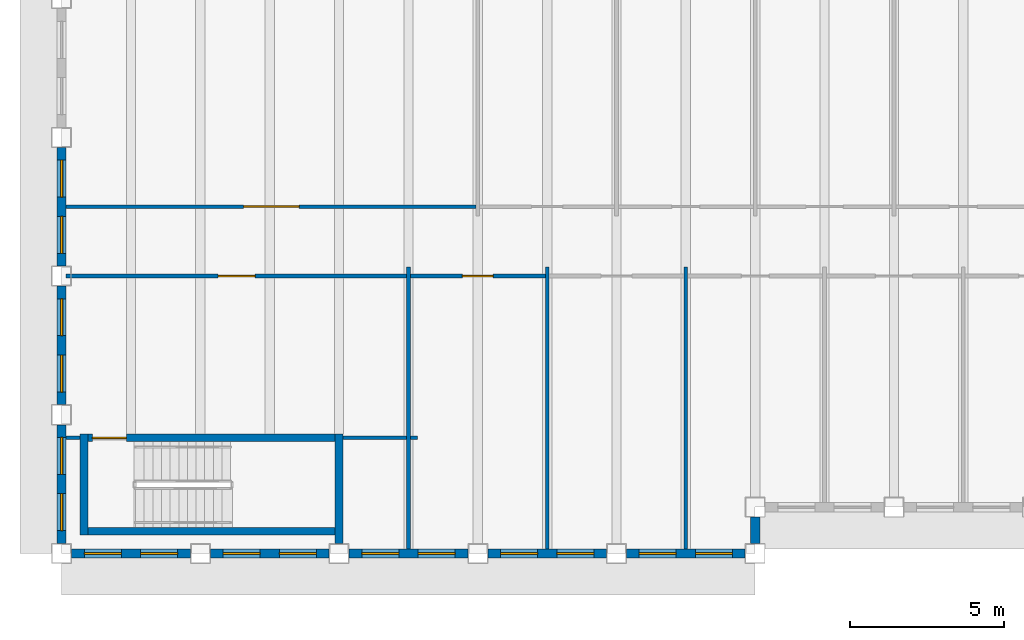
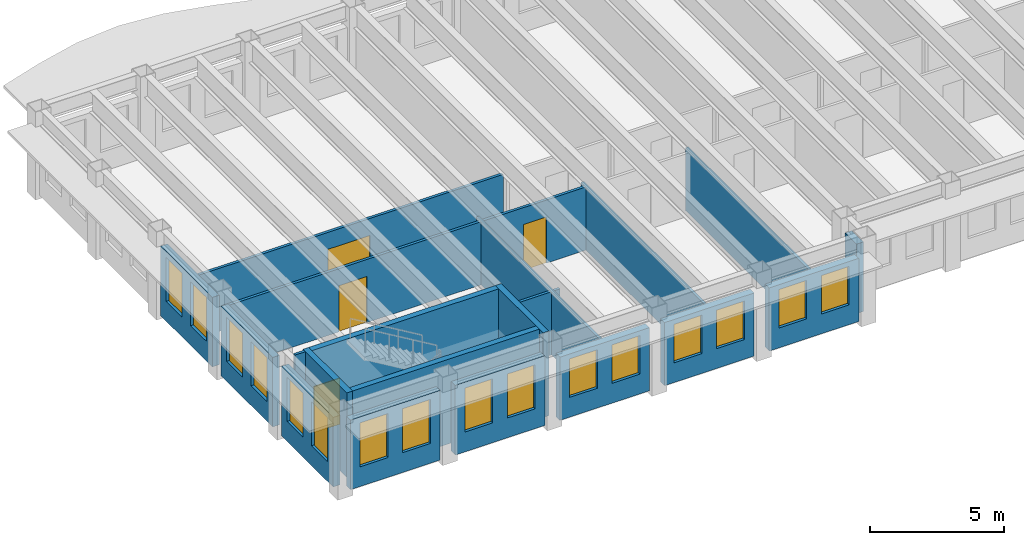
# One storey, part 2 of 12: 22 walls, 16 windows, 4 doors, 20 openings.
"""IFC4 building model written with IfcOpenShell, lengths in metres."""

import ifcopenshell
import ifcopenshell.guid

model = None  # the IFC model being written
_history = None  # IfcOwnerHistory: only IFC2X3 demands one
_inside = {}  # id of a spatial element -> (the spatial element, [elements in it])
_under = {}  # id of a project, library or spatial element -> (it, [spatial elements below it])
_declared = {}  # id of a project -> (the project, [libraries it declares])
_typed = {}  # id of a type object -> (the type object, [elements of that type])
_made_of = {}  # id of a material, layer set ... -> (it, [elements and type objects made of it])


def new_model(schema):
    """Start an empty IFC model of exactly this schema.

    Asked for "IFC4X3", IfcOpenShell would pick the latest addendum, in which some entities
    have other attributes; the version numbers below select the first issue.
    IFC2X3 requires an IfcOwnerHistory on every rooted entity: one is made here for all.
    """
    global model, _history
    if schema == "IFC4X3":
        model = ifcopenshell.file(schema_version=(4, 3, 0, 0))
    else:
        model = ifcopenshell.file(schema=schema)
    _inside.clear()
    _under.clear()
    _declared.clear()
    _typed.clear()
    _made_of.clear()
    _history = None
    if model.schema == "IFC2X3":
        org = make("IfcOrganization", Name="unknown")
        user = make(
            "IfcPersonAndOrganization",
            ThePerson=make("IfcPerson", FamilyName="unknown"),
            TheOrganization=org,
        )
        app = make(
            "IfcApplication",
            ApplicationDeveloper=org,
            Version="unknown",
            ApplicationFullName="unknown",
            ApplicationIdentifier="unknown",
        )
        _history = make(
            "IfcOwnerHistory",
            OwningUser=user,
            OwningApplication=app,
            ChangeAction="ADDED",
            CreationDate=0,
        )
    return model


def make(cls, **values):
    """One entity of the class cls with the attributes given. An attribute that is None is left unset."""
    return model.create_entity(
        cls, **{name: value for name, value in values.items() if value is not None}
    )


def rooted(cls, **values):
    """An entity with a GlobalId (a new one), such as an element, a storey or a relation."""
    return make(cls, GlobalId=ifcopenshell.guid.new(), OwnerHistory=_history, **values)


def si_unit(unit_type, name, prefix=None):
    """IfcSIUnit, for example si_unit("LENGTHUNIT", "METRE", prefix="MILLI")."""
    return make("IfcSIUnit", UnitType=unit_type, Prefix=prefix, Name=name)


def assignment(units):
    """IfcUnitAssignment: the units of a project."""
    return None if units is None else make("IfcUnitAssignment", Units=units)


def point(xyz):
    """IfcCartesianPoint."""
    return None if xyz is None else make("IfcCartesianPoint", Coordinates=xyz)


def direction(xyz):
    """IfcDirection."""
    return None if xyz is None else make("IfcDirection", DirectionRatios=xyz)


def frame(location, z_axis=None, x_axis=None):
    """IfcAxis2Placement3D, a coordinate frame: its origin and axes. An axis left out is left unset."""
    return make(
        "IfcAxis2Placement3D",
        Location=point(location),
        Axis=direction(z_axis),
        RefDirection=direction(x_axis),
    )


def frame_2d(location, x_axis=None):
    """IfcAxis2Placement2D, a coordinate frame in the plane: its origin and x axis."""
    return make(
        "IfcAxis2Placement2D", Location=point(location), RefDirection=direction(x_axis)
    )


def origin():
    """The frame at (0, 0, 0) with its axes left unset."""
    return frame((0.0, 0.0, 0.0))


def place(relative_to, where):
    """IfcLocalPlacement: puts the frame where relative to a parent placement (None: the world)."""
    return make(
        "IfcLocalPlacement", PlacementRelTo=relative_to, RelativePlacement=where
    )


def context(
    kind, dimensions, precision=None, world=None, true_north=None, identifier=None
):
    """IfcGeometricRepresentationContext, for example the 3D "Model" context."""
    return make(
        "IfcGeometricRepresentationContext",
        ContextIdentifier=identifier,
        ContextType=kind,
        CoordinateSpaceDimension=dimensions,
        Precision=precision,
        WorldCoordinateSystem=world,
        TrueNorth=true_north,
    )


def subcontext(parent, identifier, kind, view, scale=None):
    """IfcGeometricRepresentationSubContext, for example "Body" below "Model"."""
    return make(
        "IfcGeometricRepresentationSubContext",
        ContextIdentifier=identifier,
        ContextType=kind,
        ParentContext=parent,
        TargetScale=scale,
        TargetView=view,
    )


def project(units=None, contexts=None):
    """IfcProject with its units and contexts."""
    return rooted(
        "IfcProject",
        Name="project",
        RepresentationContexts=contexts,
        UnitsInContext=assignment(units),
    )


def spatial(cls, under=None, at=None, **own):
    """A site, building, storey or space (cls), placed at a placement, below another one or the project."""
    s = rooted(cls, ObjectPlacement=at, **own)
    if under is not None:
        _under.setdefault(under.id(), (under, []))[1].append(s)
    return s


def profile(cls, at=None, kind="AREA", **sizes):
    """A parametric profile (cls). Its sizes go by their IFC names, for example OverallWidth=200.0."""
    return make(cls, ProfileType=kind, Position=at, **sizes)


def rectangle(**sizes):
    """IfcRectangleProfileDef."""
    return profile("IfcRectangleProfileDef", **sizes)


def extrude(swept, where, along, depth):
    """IfcExtrudedAreaSolid: the profile swept, set in the frame where, extruded along a direction by depth."""
    return make(
        "IfcExtrudedAreaSolid",
        SweptArea=swept,
        Position=where,
        ExtrudedDirection=direction(along),
        Depth=depth,
    )


def shape(context_of_items, identifier, shape_type, items):
    """IfcShapeRepresentation: the items that make up one representation, for example the "Body"."""
    return make(
        "IfcShapeRepresentation",
        ContextOfItems=context_of_items,
        RepresentationIdentifier=identifier,
        RepresentationType=shape_type,
        Items=items,
    )


def material(Name=None, Category=None):
    """IfcMaterial."""
    return make("IfcMaterial", Name=Name, Category=Category)


def layer(
    of_material, thickness, ventilated=None, Name=None, Category=None, Priority=None
):
    """IfcMaterialLayer: one layer of a wall or slab, of a material (None: an air gap)."""
    return make(
        "IfcMaterialLayer",
        Material=of_material,
        LayerThickness=thickness,
        IsVentilated=ventilated,
        Name=Name,
        Category=Category,
        Priority=Priority,
    )


def layer_set(layers, Name=None):
    """IfcMaterialLayerSet."""
    return make("IfcMaterialLayerSet", MaterialLayers=layers, LayerSetName=Name)


def made_of(thing, what):
    """Note that an element or type object is made of a material, layer set ...; save() writes the relation."""
    if what is not None:
        _made_of.setdefault(what.id(), (what, []))[1].append(thing)
    return thing


def type_object(cls, material=None, **own):
    """A type object (cls), such as IfcWallType, which elements share."""
    return made_of(rooted(cls, **own), material)


def element(
    cls,
    number,
    at=None,
    inside=None,
    cuts=None,
    type_object=None,
    material=None,
    context=None,
    identifier="Body",
    shape_type=None,
    held_by="IfcProductDefinitionShape",
    body=None,
    shapes=None,
    **own,
):
    """One element of the class cls, such as IfcWall. Its Tag is "e" and its number.

    at: its placement. inside: the storey or other place that contains it. cuts: it is an
    opening in that element (IfcRelVoidsElement). A single representation is given by context,
    identifier, shape_type and body (its items); several are given by shapes. held_by: the class
    of the entity that holds the representations. save() writes the other relations.
    """
    e = rooted(cls, Tag="e%d" % number, ObjectPlacement=at, **own)
    if body is not None:
        shapes = [shape(context, identifier, shape_type, body)]
    if shapes is not None:
        e.Representation = make(held_by, Representations=shapes)
    if inside is not None:
        _inside.setdefault(inside.id(), (inside, []))[1].append(e)
    if cuts is not None:
        rooted(
            "IfcRelVoidsElement", RelatingBuildingElement=cuts, RelatedOpeningElement=e
        )
    if type_object is not None:
        _typed.setdefault(type_object.id(), (type_object, []))[1].append(e)
    return made_of(e, material)


def fill(opening, filler):
    """IfcRelFillsElement: the door or window that sits in an opening."""
    return rooted(
        "IfcRelFillsElement",
        RelatingOpeningElement=opening,
        RelatedBuildingElement=filler,
    )


def aggregate(whole, parts):
    """IfcRelAggregates: a whole, such as a stair, and the parts it consists of."""
    return rooted("IfcRelAggregates", RelatingObject=whole, RelatedObjects=parts)


def save(model, path):
    """Write the relations noted so far, then the file.

    IfcRelAggregates (storeys below a building ...), IfcRelContainedInSpatialStructure (elements
    in a storey), IfcRelDefinesByType, IfcRelAssociatesMaterial and IfcRelDeclares: one each for
    every whole, place, type object, material and project.
    """
    for whole, parts in _under.values():
        aggregate(whole, parts)
    for where, things in _inside.values():
        rooted(
            "IfcRelContainedInSpatialStructure",
            RelatedElements=things,
            RelatingStructure=where,
        )
    for kind, things in _typed.values():
        rooted("IfcRelDefinesByType", RelatedObjects=things, RelatingType=kind)
    for what, things in _made_of.values():
        rooted("IfcRelAssociatesMaterial", RelatedObjects=things, RelatingMaterial=what)
    for by, libraries in _declared.values():
        rooted("IfcRelDeclares", RelatingContext=by, RelatedDefinitions=libraries)
    model.write(path)


model = new_model("IFC4")

# Units and contexts
model_context = context("Model", 3, precision=1e-05, world=origin(), true_north=direction((0.0, 1.0)))
body_context = subcontext(model_context, "Body", "Model", "MODEL_VIEW")
ifc_project = project(units=[si_unit("LENGTHUNIT", "METRE"), si_unit("AREAUNIT", "SQUARE_METRE"), si_unit("VOLUMEUNIT", "CUBIC_METRE"), si_unit("PLANEANGLEUNIT", "RADIAN"), si_unit("MASSUNIT", "GRAM", prefix="KILO")], contexts=[model_context])

# Site, building, storey
site_placement = place(None, origin())
site = spatial("IfcSite", under=ifc_project, at=site_placement, CompositionType="ELEMENT")
building_placement = place(site_placement, origin())
building = spatial("IfcBuilding", under=site, at=building_placement, Name="Sennacour Bend Tower", CompositionType="ELEMENT")
storey_placement = place(building_placement, frame((0.0, 0.0, 289.0)))
storey = spatial("IfcBuildingStorey", under=building, at=storey_placement, Name="L67", CompositionType="ELEMENT", Elevation=289.0)

# Walls
ifc_material_1 = material(Name="Plasterboard partition on steel studs", Category="steel")
ifc_layer_1 = layer(ifc_material_1, 0.1201171875, Name="Plasterboard partition on steel studs", Category="steel")
ifc_layer_set_1 = layer_set([ifc_layer_1], Name="Plasterboard partition on steel studs")
wall_type_1 = type_object("IfcWallType", Name="Partition 120", PredefinedType="PARTITIONING", material=ifc_layer_set_1)
for number, where, z_axis, x_axis, name in (
    (1, (11.25, 0.14990234375, 0.0), (0.0, 0.0, 1.0), (0.0, 1.0, 0.0), "P-L67-W004a"),
    (2, (15.75, 0.14990234375, 0.0), (0.0, 0.0, 1.0), (0.0, 1.0, 0.0), "P-L67-W006a"),
    (3, (20.25, 0.14990234375, 0.0), (0.0, 0.0, 1.0), (0.0, 1.0, 0.0), "P-L67-W008a"),
):
    element("IfcWall", number, at=place(storey_placement, frame(where, z_axis=z_axis, x_axis=x_axis)), inside=storey, type_object=wall_type_1, Name=name, PredefinedType="PARTITIONING", context=body_context, shape_type="SweptSolid", body=[
        extrude(rectangle(XDim=9.150146484375, YDim=0.1201171875, at=frame_2d((4.5751953125, 0.0))), origin(), (0.0, 0.0, 1.0), 2.8701171875),
    ])
wall_1_placement = place(storey_placement, frame((0.14990234375, 3.75, 0.0), z_axis=(0.0, 0.0, 1.0), x_axis=(1.0, 0.0, 0.0)))
element("IfcWall", 4, at=wall_1_placement, inside=storey, type_object=wall_type_1, Name="P-L67-W033a", PredefinedType="PARTITIONING", context=body_context, shape_type="SweptSolid", body=[
    extrude(rectangle(XDim=0.4501953125, YDim=0.1201171875, at=frame_2d((0.22509765625, 0.0))), origin(), (0.0, 0.0, 1.0), 3.85009765625),
])
wall_2_placement = place(storey_placement, frame((9.125, 3.75, 0.0), z_axis=(0.0, 0.0, 1.0), x_axis=(1.0, 0.0, 0.0)))
element("IfcWall", 5, at=wall_2_placement, inside=storey, type_object=wall_type_1, Name="P-L67-W035aa", PredefinedType="PARTITIONING", context=body_context, shape_type="SweptSolid", body=[
    extrude(rectangle(XDim=2.06494140625, YDim=0.1201171875, at=frame_2d((1.032470703125, 0.0))), origin(), (0.0, 0.0, 1.0), 2.8701171875),
])
wall_3_placement = place(storey_placement, frame((11.31005859375, 3.75, 0.0), z_axis=(0.0, 0.0, 1.0), x_axis=(1.0, 0.0, 0.0)))
element("IfcWall", 6, at=wall_3_placement, inside=storey, type_object=wall_type_1, Name="P-L67-W035ab", PredefinedType="PARTITIONING", context=body_context, shape_type="SweptSolid", body=[
    extrude(rectangle(XDim=0.239990234375, YDim=0.1201171875, at=frame_2d((0.1201171875, 0.0))), origin(), (0.0, 0.0, 1.0), 2.8701171875),
])

# Wall, opening, door
wall_4_placement = place(storey_placement, frame((11.31005859375, 9.0, 0.0), z_axis=(0.0, 0.0, 1.0), x_axis=(1.0, 0.0, 0.0)))
wall_4 = element("IfcWall", 7, at=wall_4_placement, inside=storey, type_object=wall_type_1, Name="P-L67-W041ab", PredefinedType="PARTITIONING", context=body_context, shape_type="SweptSolid", body=[
    extrude(rectangle(XDim=4.3798828125, YDim=0.1201171875, at=frame_2d((2.18994140625, 0.0))), origin(), (0.0, 0.0, 1.0), 2.8701171875),
])
opening_1_placement = place(wall_4_placement, frame((1.68994140625, 0.0, 0.0)))
opening_1 = element("IfcOpeningElement", 8, at=opening_1_placement, cuts=wall_4, Name="Opening OD2", PredefinedType="OPENING", context=body_context, shape_type="SweptSolid", body=[
    extrude(rectangle(XDim=1.0, YDim=2.10009765625, at=frame_2d((0.5, 1.050048828125))), frame((0.0, 0.070068359375, 0.0), z_axis=(0.0, -1.0, 0.0), x_axis=(1.0, 0.0, 0.0)), (0.0, 0.0, 1.0), 0.14013671875),
])
ifc_material_2 = material(Name="Timber", Category="wood")
door_type_1 = type_object("IfcDoorType", Name="DR-OFFICE-1000", OperationType="NOTDEFINED", PredefinedType="DOOR", material=ifc_material_2)
door_1_placement = place(opening_1_placement, origin())
door_1 = element("IfcDoor", 9, at=door_1_placement, inside=storey, type_object=door_type_1, Name="Door", OperationType="SINGLE_SWING_LEFT", OverallHeight=2.10009765625, OverallWidth=1.0, PredefinedType="DOOR", context=body_context, shape_type="SweptSolid", body=[
    extrude(rectangle(XDim=1.0, YDim=2.10009765625, at=frame_2d((0.5, 1.050048828125))), frame((0.0, 0.02490234375, 0.0), z_axis=(0.0, -1.0, 0.0), x_axis=(1.0, 0.0, 0.0)), (0.0, 0.0, 1.0), 0.050048828125),
])
fill(opening_1, door_1)

wall_5_placement = place(storey_placement, frame((0.14990234375, 11.25, 0.0), z_axis=(0.0, 0.0, 1.0), x_axis=(1.0, 0.0, 0.0)))
wall_5 = element("IfcWall", 10, at=wall_5_placement, inside=storey, type_object=wall_type_1, Name="P-L67-W043aa", PredefinedType="PARTITIONING", context=body_context, shape_type="SweptSolid", body=[
    extrude(rectangle(XDim=13.2900390625, YDim=0.1201171875, at=frame_2d((6.64501953125, 0.0))), origin(), (0.0, 0.0, 1.0), 2.8701171875),
])
opening_2_placement = place(wall_5_placement, frame((5.755126953125, 0.0, 0.0)))
opening_2 = element("IfcOpeningElement", 11, at=opening_2_placement, cuts=wall_5, Name="Opening OD3", PredefinedType="OPENING", context=body_context, shape_type="SweptSolid", body=[
    extrude(rectangle(XDim=1.800048828125, YDim=2.10009765625, at=frame_2d((0.89990234375, 1.050048828125))), frame((0.0, 0.070068359375, 0.0), z_axis=(0.0, -1.0, 0.0), x_axis=(1.0, 0.0, 0.0)), (0.0, 0.0, 1.0), 0.14013671875),
])
door_type_2 = type_object("IfcDoorType", Name="DR-OFFICE-1800", OperationType="NOTDEFINED", PredefinedType="DOOR", material=ifc_material_2)
door_2_placement = place(opening_2_placement, origin())
door_2 = element("IfcDoor", 12, at=door_2_placement, inside=storey, type_object=door_type_2, Name="Door", OperationType="DOUBLE_DOOR_SINGLE_SWING", OverallHeight=2.10009765625, OverallWidth=1.800048828125, PredefinedType="DOOR", context=body_context, shape_type="SweptSolid", body=[
    extrude(rectangle(XDim=1.800048828125, YDim=2.10009765625, at=frame_2d((0.89990234375, 1.050048828125))), frame((0.0, 0.02490234375, 0.0), z_axis=(0.0, -1.0, 0.0), x_axis=(1.0, 0.0, 0.0)), (0.0, 0.0, 1.0), 0.050048828125),
])
fill(opening_2, door_2)

ifc_layer_2 = layer(ifc_material_1, 0.1201171875, Name="Plasterboard partition on steel studs", Category="steel")
ifc_layer_set_2 = layer_set([ifc_layer_2], Name="Plasterboard partition on steel studs")
wall_type_2 = type_object("IfcWallType", Name="Partition 120 EI 30", PredefinedType="PARTITIONING", material=ifc_layer_set_2)
wall_6_placement = place(storey_placement, frame((0.14990234375, 9.0, 0.0), z_axis=(0.0, 0.0, 1.0), x_axis=(1.0, 0.0, 0.0)))
wall_6 = element("IfcWall", 13, at=wall_6_placement, inside=storey, type_object=wall_type_2, Name="P-L67-W041aa", PredefinedType="PARTITIONING", context=body_context, shape_type="SweptSolid", body=[
    extrude(rectangle(XDim=11.0400390625, YDim=0.1201171875, at=frame_2d((5.52001953125, 0.0))), origin(), (0.0, 0.0, 1.0), 2.8701171875),
])
opening_3_placement = place(wall_6_placement, frame((4.93017578125, 0.0, 0.0)))
opening_3 = element("IfcOpeningElement", 14, at=opening_3_placement, cuts=wall_6, Name="Opening KD2", PredefinedType="OPENING", context=body_context, shape_type="SweptSolid", body=[
    extrude(rectangle(XDim=1.199951171875, YDim=2.10009765625, at=frame_2d((0.60009765625, 1.050048828125))), frame((0.0, 0.070068359375, 0.0), z_axis=(0.0, -1.0, 0.0), x_axis=(1.0, 0.0, 0.0)), (0.0, 0.0, 1.0), 0.14013671875),
])
ifc_material_3 = material(Name="Painted steel", Category="steel")
door_type_3 = type_object("IfcDoorType", Name="DR-CORRIDOR-1200", OperationType="NOTDEFINED", PredefinedType="DOOR", material=ifc_material_3)
door_3_placement = place(opening_3_placement, origin())
door_3 = element("IfcDoor", 15, at=door_3_placement, inside=storey, type_object=door_type_3, Name="Door", OperationType="SINGLE_SWING_RIGHT", OverallHeight=2.10009765625, OverallWidth=1.199951171875, PredefinedType="DOOR", context=body_context, shape_type="SweptSolid", body=[
    extrude(rectangle(XDim=1.199951171875, YDim=2.10009765625, at=frame_2d((0.60009765625, 1.050048828125))), frame((0.0, 0.02490234375, 0.0), z_axis=(0.0, -1.0, 0.0), x_axis=(1.0, 0.0, 0.0)), (0.0, 0.0, 1.0), 0.050048828125),
])
fill(opening_3, door_3)

# Wall
ifc_material_4 = material(Name="Warm limestone cladding", Category="masonry")
ifc_layer_3 = layer(ifc_material_4, 0.050048828125, Name="Warm limestone cladding", Category="masonry")
ifc_material_5 = material(Name="Precast concrete C40/50", Category="concrete")
ifc_layer_4 = layer(ifc_material_5, 0.25, Name="Precast concrete C40/50", Category="concrete")
ifc_layer_set_3 = layer_set([ifc_layer_3, ifc_layer_4], Name="Precast concrete C40/50 with limestone cladding")
wall_type_3 = type_object("IfcWallType", Name="STONE-CLAD PRECAST SPANDREL 300", PredefinedType="STANDARD", material=ifc_layer_set_3)
wall_7_placement = place(storey_placement, frame((22.5, 0.324951171875, 0.0), z_axis=(0.0, 0.0, 1.0), x_axis=(0.0, 1.0, 0.0)))
element("IfcWall", 16, at=wall_7_placement, inside=storey, type_object=wall_type_3, Name="Stone spandrel and pier wall L67 00.00", PredefinedType="STANDARD", context=body_context, shape_type="SweptSolid", body=[
    extrude(rectangle(XDim=0.85009765625, YDim=0.300048828125, at=frame_2d((0.425048828125, 0.0))), origin(), (0.0, 0.0, 1.0), 3.162109375),
])

# Wall, openings, windows
wall_8_placement = place(storey_placement, frame((0.0, 13.175048828125, 0.0), z_axis=(0.0, 0.0, 1.0), x_axis=(0.0, -1.0, 0.0)))
wall_8 = element("IfcWall", 17, at=wall_8_placement, inside=storey, type_object=wall_type_3, Name="Stone spandrel and pier wall L67 10.02", PredefinedType="STANDARD", context=body_context, shape_type="SweptSolid", body=[
    extrude(rectangle(XDim=3.85009765625, YDim=0.300048828125, at=frame_2d((1.925048828125, 0.0))), origin(), (0.0, 0.0, 1.0), 3.162109375),
])
opening_4_placement = place(wall_8_placement, frame((0.41259765625, 0.0, 0.89990234375)))
opening_4 = element("IfcOpeningElement", 18, at=opening_4_placement, cuts=wall_8, Name="Opening W14", PredefinedType="OPENING", context=body_context, shape_type="SweptSolid", body=[
    extrude(rectangle(XDim=1.199951171875, YDim=2.0, at=frame_2d((0.60009765625, 1.0))), frame((0.0, 0.16015625, 0.0), z_axis=(0.0, -1.0, 0.0), x_axis=(1.0, 0.0, 0.0)), (0.0, 0.0, 1.0), 0.320068359375),
])
opening_5_placement = place(wall_8_placement, frame((2.237548828125, 0.0, 0.89990234375)))
opening_5 = element("IfcOpeningElement", 19, at=opening_5_placement, cuts=wall_8, Name="Opening W14", PredefinedType="OPENING", context=body_context, shape_type="SweptSolid", body=[
    extrude(rectangle(XDim=1.199951171875, YDim=2.0, at=frame_2d((0.60009765625, 1.0))), frame((0.0, 0.16015625, 0.0), z_axis=(0.0, -1.0, 0.0), x_axis=(1.0, 0.0, 0.0)), (0.0, 0.0, 1.0), 0.320068359375),
])
ifc_material_6 = material(Name="Clear low-emissivity glass", Category="glass")
window_type_1 = type_object("IfcWindowType", Name="WIN-RIBBON-1200x2000", PartitioningType="SINGLE_PANEL", PredefinedType="WINDOW", material=ifc_material_6)
window_1_placement = place(opening_4_placement, origin())
window_1 = element("IfcWindow", 20, at=window_1_placement, inside=storey, type_object=window_type_1, Name="Ribbon window L67 10.02.0", OverallHeight=2.0, OverallWidth=1.199951171875, PartitioningType="SINGLE_PANEL", PredefinedType="WINDOW", context=body_context, shape_type="SweptSolid", body=[
    extrude(rectangle(XDim=1.199951171875, YDim=2.0, at=frame_2d((0.60009765625, 1.0))), frame((0.0, 0.030029296875, 0.0), z_axis=(0.0, -1.0, 0.0), x_axis=(1.0, 0.0, 0.0)), (0.0, 0.0, 1.0), 0.06005859375),
])
fill(opening_4, window_1)
window_2_placement = place(opening_5_placement, origin())
window_2 = element("IfcWindow", 21, at=window_2_placement, inside=storey, type_object=window_type_1, Name="Ribbon window L67 10.02.1", OverallHeight=2.0, OverallWidth=1.199951171875, PartitioningType="SINGLE_PANEL", PredefinedType="WINDOW", context=body_context, shape_type="SweptSolid", body=[
    extrude(rectangle(XDim=1.199951171875, YDim=2.0, at=frame_2d((0.60009765625, 1.0))), frame((0.0, 0.030029296875, 0.0), z_axis=(0.0, -1.0, 0.0), x_axis=(1.0, 0.0, 0.0)), (0.0, 0.0, 1.0), 0.06005859375),
])
fill(opening_5, window_2)

wall_9_placement = place(storey_placement, frame((0.0, 8.675048828125, 0.0), z_axis=(0.0, 0.0, 1.0), x_axis=(0.0, -1.0, 0.0)))
wall_9 = element("IfcWall", 22, at=wall_9_placement, inside=storey, type_object=wall_type_3, Name="Stone spandrel and pier wall L67 10.03", PredefinedType="STANDARD", context=body_context, shape_type="SweptSolid", body=[
    extrude(rectangle(XDim=3.85009765625, YDim=0.300048828125, at=frame_2d((1.925048828125, 0.0))), origin(), (0.0, 0.0, 1.0), 3.162109375),
])
opening_6_placement = place(wall_9_placement, frame((0.41259765625, 0.0, 0.89990234375)))
opening_6 = element("IfcOpeningElement", 23, at=opening_6_placement, cuts=wall_9, Name="Opening W14", PredefinedType="OPENING", context=body_context, shape_type="SweptSolid", body=[
    extrude(rectangle(XDim=1.199951171875, YDim=2.0, at=frame_2d((0.60009765625, 1.0))), frame((0.0, 0.16015625, 0.0), z_axis=(0.0, -1.0, 0.0), x_axis=(1.0, 0.0, 0.0)), (0.0, 0.0, 1.0), 0.320068359375),
])
opening_7_placement = place(wall_9_placement, frame((2.237548828125, 0.0, 0.89990234375)))
opening_7 = element("IfcOpeningElement", 24, at=opening_7_placement, cuts=wall_9, Name="Opening W14", PredefinedType="OPENING", context=body_context, shape_type="SweptSolid", body=[
    extrude(rectangle(XDim=1.199951171875, YDim=2.0, at=frame_2d((0.60009765625, 1.0))), frame((0.0, 0.16015625, 0.0), z_axis=(0.0, -1.0, 0.0), x_axis=(1.0, 0.0, 0.0)), (0.0, 0.0, 1.0), 0.320068359375),
])
window_3_placement = place(opening_6_placement, origin())
window_3 = element("IfcWindow", 25, at=window_3_placement, inside=storey, type_object=window_type_1, Name="Ribbon window L67 10.03.0", OverallHeight=2.0, OverallWidth=1.199951171875, PartitioningType="SINGLE_PANEL", PredefinedType="WINDOW", context=body_context, shape_type="SweptSolid", body=[
    extrude(rectangle(XDim=1.199951171875, YDim=2.0, at=frame_2d((0.60009765625, 1.0))), frame((0.0, 0.030029296875, 0.0), z_axis=(0.0, -1.0, 0.0), x_axis=(1.0, 0.0, 0.0)), (0.0, 0.0, 1.0), 0.06005859375),
])
fill(opening_6, window_3)
window_4_placement = place(opening_7_placement, origin())
window_4 = element("IfcWindow", 26, at=window_4_placement, inside=storey, type_object=window_type_1, Name="Ribbon window L67 10.03.1", OverallHeight=2.0, OverallWidth=1.199951171875, PartitioningType="SINGLE_PANEL", PredefinedType="WINDOW", context=body_context, shape_type="SweptSolid", body=[
    extrude(rectangle(XDim=1.199951171875, YDim=2.0, at=frame_2d((0.60009765625, 1.0))), frame((0.0, 0.030029296875, 0.0), z_axis=(0.0, -1.0, 0.0), x_axis=(1.0, 0.0, 0.0)), (0.0, 0.0, 1.0), 0.06005859375),
])
fill(opening_7, window_4)

wall_10_placement = place(storey_placement, frame((0.0, 4.175048828125, 0.0), z_axis=(0.0, 0.0, 1.0), x_axis=(0.0, -1.0, 0.0)))
wall_10 = element("IfcWall", 27, at=wall_10_placement, inside=storey, type_object=wall_type_3, Name="Stone spandrel and pier wall L67 10.04", PredefinedType="STANDARD", context=body_context, shape_type="SweptSolid", body=[
    extrude(rectangle(XDim=3.85009765625, YDim=0.300048828125, at=frame_2d((1.925048828125, 0.0))), origin(), (0.0, 0.0, 1.0), 3.162109375),
])
opening_8_placement = place(wall_10_placement, frame((0.41259765625, 0.0, 0.89990234375)))
opening_8 = element("IfcOpeningElement", 28, at=opening_8_placement, cuts=wall_10, Name="Opening W14", PredefinedType="OPENING", context=body_context, shape_type="SweptSolid", body=[
    extrude(rectangle(XDim=1.199951171875, YDim=2.0, at=frame_2d((0.60009765625, 1.0))), frame((0.0, 0.16015625, 0.0), z_axis=(0.0, -1.0, 0.0), x_axis=(1.0, 0.0, 0.0)), (0.0, 0.0, 1.0), 0.320068359375),
])
opening_9_placement = place(wall_10_placement, frame((2.237548828125, 0.0, 0.89990234375)))
opening_9 = element("IfcOpeningElement", 29, at=opening_9_placement, cuts=wall_10, Name="Opening W14", PredefinedType="OPENING", context=body_context, shape_type="SweptSolid", body=[
    extrude(rectangle(XDim=1.199951171875, YDim=2.0, at=frame_2d((0.60009765625, 1.0))), frame((0.0, 0.16015625, 0.0), z_axis=(0.0, -1.0, 0.0), x_axis=(1.0, 0.0, 0.0)), (0.0, 0.0, 1.0), 0.320068359375),
])
window_5_placement = place(opening_8_placement, origin())
window_5 = element("IfcWindow", 30, at=window_5_placement, inside=storey, type_object=window_type_1, Name="Ribbon window L67 10.04.0", OverallHeight=2.0, OverallWidth=1.199951171875, PartitioningType="SINGLE_PANEL", PredefinedType="WINDOW", context=body_context, shape_type="SweptSolid", body=[
    extrude(rectangle(XDim=1.199951171875, YDim=2.0, at=frame_2d((0.60009765625, 1.0))), frame((0.0, 0.030029296875, 0.0), z_axis=(0.0, -1.0, 0.0), x_axis=(1.0, 0.0, 0.0)), (0.0, 0.0, 1.0), 0.06005859375),
])
fill(opening_8, window_5)
window_6_placement = place(opening_9_placement, origin())
window_6 = element("IfcWindow", 31, at=window_6_placement, inside=storey, type_object=window_type_1, Name="Ribbon window L67 10.04.1", OverallHeight=2.0, OverallWidth=1.199951171875, PartitioningType="SINGLE_PANEL", PredefinedType="WINDOW", context=body_context, shape_type="SweptSolid", body=[
    extrude(rectangle(XDim=1.199951171875, YDim=2.0, at=frame_2d((0.60009765625, 1.0))), frame((0.0, 0.030029296875, 0.0), z_axis=(0.0, -1.0, 0.0), x_axis=(1.0, 0.0, 0.0)), (0.0, 0.0, 1.0), 0.06005859375),
])
fill(opening_9, window_6)

wall_11_placement = place(storey_placement, frame((0.324951171875, 0.0, 0.0), z_axis=(0.0, 0.0, 1.0), x_axis=(1.0, 0.0, 0.0)))
wall_11 = element("IfcWall", 32, at=wall_11_placement, inside=storey, type_object=wall_type_3, Name="Stone spandrel and pier wall L67 11.00", PredefinedType="STANDARD", context=body_context, shape_type="SweptSolid", body=[
    extrude(rectangle(XDim=3.85009765625, YDim=0.300048828125, at=frame_2d((1.925048828125, 0.0))), origin(), (0.0, 0.0, 1.0), 3.162109375),
])
opening_10_placement = place(wall_11_placement, frame((0.41259765625, 0.0, 0.89990234375)))
opening_10 = element("IfcOpeningElement", 33, at=opening_10_placement, cuts=wall_11, Name="Opening W14", PredefinedType="OPENING", context=body_context, shape_type="SweptSolid", body=[
    extrude(rectangle(XDim=1.199951171875, YDim=2.0, at=frame_2d((0.60009765625, 1.0))), frame((0.0, 0.16015625, 0.0), z_axis=(0.0, -1.0, 0.0), x_axis=(1.0, 0.0, 0.0)), (0.0, 0.0, 1.0), 0.320068359375),
])
opening_11_placement = place(wall_11_placement, frame((2.237548828125, 0.0, 0.89990234375)))
opening_11 = element("IfcOpeningElement", 34, at=opening_11_placement, cuts=wall_11, Name="Opening W14", PredefinedType="OPENING", context=body_context, shape_type="SweptSolid", body=[
    extrude(rectangle(XDim=1.199951171875, YDim=2.0, at=frame_2d((0.60009765625, 1.0))), frame((0.0, 0.16015625, 0.0), z_axis=(0.0, -1.0, 0.0), x_axis=(1.0, 0.0, 0.0)), (0.0, 0.0, 1.0), 0.320068359375),
])
window_7_placement = place(opening_10_placement, origin())
window_7 = element("IfcWindow", 35, at=window_7_placement, inside=storey, type_object=window_type_1, Name="Ribbon window L67 11.00.0", OverallHeight=2.0, OverallWidth=1.199951171875, PartitioningType="SINGLE_PANEL", PredefinedType="WINDOW", context=body_context, shape_type="SweptSolid", body=[
    extrude(rectangle(XDim=1.199951171875, YDim=2.0, at=frame_2d((0.60009765625, 1.0))), frame((0.0, 0.030029296875, 0.0), z_axis=(0.0, -1.0, 0.0), x_axis=(1.0, 0.0, 0.0)), (0.0, 0.0, 1.0), 0.06005859375),
])
fill(opening_10, window_7)
window_8_placement = place(opening_11_placement, origin())
window_8 = element("IfcWindow", 36, at=window_8_placement, inside=storey, type_object=window_type_1, Name="Ribbon window L67 11.00.1", OverallHeight=2.0, OverallWidth=1.199951171875, PartitioningType="SINGLE_PANEL", PredefinedType="WINDOW", context=body_context, shape_type="SweptSolid", body=[
    extrude(rectangle(XDim=1.199951171875, YDim=2.0, at=frame_2d((0.60009765625, 1.0))), frame((0.0, 0.030029296875, 0.0), z_axis=(0.0, -1.0, 0.0), x_axis=(1.0, 0.0, 0.0)), (0.0, 0.0, 1.0), 0.06005859375),
])
fill(opening_11, window_8)

wall_12_placement = place(storey_placement, frame((4.824951171875, 0.0, 0.0), z_axis=(0.0, 0.0, 1.0), x_axis=(1.0, 0.0, 0.0)))
wall_12 = element("IfcWall", 37, at=wall_12_placement, inside=storey, type_object=wall_type_3, Name="Stone spandrel and pier wall L67 11.01", PredefinedType="STANDARD", context=body_context, shape_type="SweptSolid", body=[
    extrude(rectangle(XDim=3.85009765625, YDim=0.300048828125, at=frame_2d((1.925048828125, 0.0))), origin(), (0.0, 0.0, 1.0), 3.162109375),
])
opening_12_placement = place(wall_12_placement, frame((0.41259765625, 0.0, 0.89990234375)))
opening_12 = element("IfcOpeningElement", 38, at=opening_12_placement, cuts=wall_12, Name="Opening W14", PredefinedType="OPENING", context=body_context, shape_type="SweptSolid", body=[
    extrude(rectangle(XDim=1.199951171875, YDim=2.0, at=frame_2d((0.60009765625, 1.0))), frame((0.0, 0.16015625, 0.0), z_axis=(0.0, -1.0, 0.0), x_axis=(1.0, 0.0, 0.0)), (0.0, 0.0, 1.0), 0.320068359375),
])
opening_13_placement = place(wall_12_placement, frame((2.237548828125, 0.0, 0.89990234375)))
opening_13 = element("IfcOpeningElement", 39, at=opening_13_placement, cuts=wall_12, Name="Opening W14", PredefinedType="OPENING", context=body_context, shape_type="SweptSolid", body=[
    extrude(rectangle(XDim=1.199951171875, YDim=2.0, at=frame_2d((0.60009765625, 1.0))), frame((0.0, 0.16015625, 0.0), z_axis=(0.0, -1.0, 0.0), x_axis=(1.0, 0.0, 0.0)), (0.0, 0.0, 1.0), 0.320068359375),
])
window_9_placement = place(opening_12_placement, origin())
window_9 = element("IfcWindow", 40, at=window_9_placement, inside=storey, type_object=window_type_1, Name="Ribbon window L67 11.01.0", OverallHeight=2.0, OverallWidth=1.199951171875, PartitioningType="SINGLE_PANEL", PredefinedType="WINDOW", context=body_context, shape_type="SweptSolid", body=[
    extrude(rectangle(XDim=1.199951171875, YDim=2.0, at=frame_2d((0.60009765625, 1.0))), frame((0.0, 0.030029296875, 0.0), z_axis=(0.0, -1.0, 0.0), x_axis=(1.0, 0.0, 0.0)), (0.0, 0.0, 1.0), 0.06005859375),
])
fill(opening_12, window_9)
window_10_placement = place(opening_13_placement, origin())
window_10 = element("IfcWindow", 41, at=window_10_placement, inside=storey, type_object=window_type_1, Name="Ribbon window L67 11.01.1", OverallHeight=2.0, OverallWidth=1.199951171875, PartitioningType="SINGLE_PANEL", PredefinedType="WINDOW", context=body_context, shape_type="SweptSolid", body=[
    extrude(rectangle(XDim=1.199951171875, YDim=2.0, at=frame_2d((0.60009765625, 1.0))), frame((0.0, 0.030029296875, 0.0), z_axis=(0.0, -1.0, 0.0), x_axis=(1.0, 0.0, 0.0)), (0.0, 0.0, 1.0), 0.06005859375),
])
fill(opening_13, window_10)

wall_13_placement = place(storey_placement, frame((9.324951171875, 0.0, 0.0), z_axis=(0.0, 0.0, 1.0), x_axis=(1.0, 0.0, 0.0)))
wall_13 = element("IfcWall", 42, at=wall_13_placement, inside=storey, type_object=wall_type_3, Name="Stone spandrel and pier wall L67 11.02", PredefinedType="STANDARD", context=body_context, shape_type="SweptSolid", body=[
    extrude(rectangle(XDim=3.85009765625, YDim=0.300048828125, at=frame_2d((1.925048828125, 0.0))), origin(), (0.0, 0.0, 1.0), 2.8701171875),
])
opening_14_placement = place(wall_13_placement, frame((0.41259765625, 0.0, 0.89990234375)))
opening_14 = element("IfcOpeningElement", 43, at=opening_14_placement, cuts=wall_13, Name="Opening W16", PredefinedType="OPENING", context=body_context, shape_type="SweptSolid", body=[
    extrude(rectangle(XDim=1.199951171875, YDim=1.75, at=frame_2d((0.60009765625, 0.875))), frame((0.0, 0.16015625, 0.0), z_axis=(0.0, -1.0, 0.0), x_axis=(1.0, 0.0, 0.0)), (0.0, 0.0, 1.0), 0.320068359375),
])
opening_15_placement = place(wall_13_placement, frame((2.237548828125, 0.0, 0.89990234375)))
opening_15 = element("IfcOpeningElement", 44, at=opening_15_placement, cuts=wall_13, Name="Opening W16", PredefinedType="OPENING", context=body_context, shape_type="SweptSolid", body=[
    extrude(rectangle(XDim=1.199951171875, YDim=1.75, at=frame_2d((0.60009765625, 0.875))), frame((0.0, 0.16015625, 0.0), z_axis=(0.0, -1.0, 0.0), x_axis=(1.0, 0.0, 0.0)), (0.0, 0.0, 1.0), 0.320068359375),
])
window_type_2 = type_object("IfcWindowType", Name="WIN-RIBBON-1200x1750", PartitioningType="SINGLE_PANEL", PredefinedType="WINDOW", material=ifc_material_6)
window_11_placement = place(opening_14_placement, origin())
window_11 = element("IfcWindow", 45, at=window_11_placement, inside=storey, type_object=window_type_2, Name="Ribbon window L67 11.02.0", OverallHeight=1.75, OverallWidth=1.199951171875, PartitioningType="SINGLE_PANEL", PredefinedType="WINDOW", context=body_context, shape_type="SweptSolid", body=[
    extrude(rectangle(XDim=1.199951171875, YDim=1.75, at=frame_2d((0.60009765625, 0.875))), frame((0.0, 0.030029296875, 0.0), z_axis=(0.0, -1.0, 0.0), x_axis=(1.0, 0.0, 0.0)), (0.0, 0.0, 1.0), 0.06005859375),
])
fill(opening_14, window_11)
window_12_placement = place(opening_15_placement, origin())
window_12 = element("IfcWindow", 46, at=window_12_placement, inside=storey, type_object=window_type_2, Name="Ribbon window L67 11.02.1", OverallHeight=1.75, OverallWidth=1.199951171875, PartitioningType="SINGLE_PANEL", PredefinedType="WINDOW", context=body_context, shape_type="SweptSolid", body=[
    extrude(rectangle(XDim=1.199951171875, YDim=1.75, at=frame_2d((0.60009765625, 0.875))), frame((0.0, 0.030029296875, 0.0), z_axis=(0.0, -1.0, 0.0), x_axis=(1.0, 0.0, 0.0)), (0.0, 0.0, 1.0), 0.06005859375),
])
fill(opening_15, window_12)

wall_14_placement = place(storey_placement, frame((13.824951171875, 0.0, 0.0), z_axis=(0.0, 0.0, 1.0), x_axis=(1.0, 0.0, 0.0)))
wall_14 = element("IfcWall", 47, at=wall_14_placement, inside=storey, type_object=wall_type_3, Name="Stone spandrel and pier wall L67 11.03", PredefinedType="STANDARD", context=body_context, shape_type="SweptSolid", body=[
    extrude(rectangle(XDim=3.85009765625, YDim=0.300048828125, at=frame_2d((1.925048828125, 0.0))), origin(), (0.0, 0.0, 1.0), 2.8701171875),
])
opening_16_placement = place(wall_14_placement, frame((0.41259765625, 0.0, 0.89990234375)))
opening_16 = element("IfcOpeningElement", 48, at=opening_16_placement, cuts=wall_14, Name="Opening W16", PredefinedType="OPENING", context=body_context, shape_type="SweptSolid", body=[
    extrude(rectangle(XDim=1.199951171875, YDim=1.75, at=frame_2d((0.60009765625, 0.875))), frame((0.0, 0.16015625, 0.0), z_axis=(0.0, -1.0, 0.0), x_axis=(1.0, 0.0, 0.0)), (0.0, 0.0, 1.0), 0.320068359375),
])
opening_17_placement = place(wall_14_placement, frame((2.237548828125, 0.0, 0.89990234375)))
opening_17 = element("IfcOpeningElement", 49, at=opening_17_placement, cuts=wall_14, Name="Opening W16", PredefinedType="OPENING", context=body_context, shape_type="SweptSolid", body=[
    extrude(rectangle(XDim=1.199951171875, YDim=1.75, at=frame_2d((0.60009765625, 0.875))), frame((0.0, 0.16015625, 0.0), z_axis=(0.0, -1.0, 0.0), x_axis=(1.0, 0.0, 0.0)), (0.0, 0.0, 1.0), 0.320068359375),
])
window_13_placement = place(opening_16_placement, origin())
window_13 = element("IfcWindow", 50, at=window_13_placement, inside=storey, type_object=window_type_2, Name="Ribbon window L67 11.03.0", OverallHeight=1.75, OverallWidth=1.199951171875, PartitioningType="SINGLE_PANEL", PredefinedType="WINDOW", context=body_context, shape_type="SweptSolid", body=[
    extrude(rectangle(XDim=1.199951171875, YDim=1.75, at=frame_2d((0.60009765625, 0.875))), frame((0.0, 0.030029296875, 0.0), z_axis=(0.0, -1.0, 0.0), x_axis=(1.0, 0.0, 0.0)), (0.0, 0.0, 1.0), 0.06005859375),
])
fill(opening_16, window_13)
window_14_placement = place(opening_17_placement, origin())
window_14 = element("IfcWindow", 51, at=window_14_placement, inside=storey, type_object=window_type_2, Name="Ribbon window L67 11.03.1", OverallHeight=1.75, OverallWidth=1.199951171875, PartitioningType="SINGLE_PANEL", PredefinedType="WINDOW", context=body_context, shape_type="SweptSolid", body=[
    extrude(rectangle(XDim=1.199951171875, YDim=1.75, at=frame_2d((0.60009765625, 0.875))), frame((0.0, 0.030029296875, 0.0), z_axis=(0.0, -1.0, 0.0), x_axis=(1.0, 0.0, 0.0)), (0.0, 0.0, 1.0), 0.06005859375),
])
fill(opening_17, window_14)

wall_15_placement = place(storey_placement, frame((18.324951171875, 0.0, 0.0), z_axis=(0.0, 0.0, 1.0), x_axis=(1.0, 0.0, 0.0)))
wall_15 = element("IfcWall", 52, at=wall_15_placement, inside=storey, type_object=wall_type_3, Name="Stone spandrel and pier wall L67 11.04", PredefinedType="STANDARD", context=body_context, shape_type="SweptSolid", body=[
    extrude(rectangle(XDim=3.85009765625, YDim=0.300048828125, at=frame_2d((1.925048828125, 0.0))), origin(), (0.0, 0.0, 1.0), 2.8701171875),
])
opening_18_placement = place(wall_15_placement, frame((0.41259765625, 0.0, 0.89990234375)))
opening_18 = element("IfcOpeningElement", 53, at=opening_18_placement, cuts=wall_15, Name="Opening W16", PredefinedType="OPENING", context=body_context, shape_type="SweptSolid", body=[
    extrude(rectangle(XDim=1.199951171875, YDim=1.75, at=frame_2d((0.60009765625, 0.875))), frame((0.0, 0.16015625, 0.0), z_axis=(0.0, -1.0, 0.0), x_axis=(1.0, 0.0, 0.0)), (0.0, 0.0, 1.0), 0.320068359375),
])
opening_19_placement = place(wall_15_placement, frame((2.237548828125, 0.0, 0.89990234375)))
opening_19 = element("IfcOpeningElement", 54, at=opening_19_placement, cuts=wall_15, Name="Opening W16", PredefinedType="OPENING", context=body_context, shape_type="SweptSolid", body=[
    extrude(rectangle(XDim=1.199951171875, YDim=1.75, at=frame_2d((0.60009765625, 0.875))), frame((0.0, 0.16015625, 0.0), z_axis=(0.0, -1.0, 0.0), x_axis=(1.0, 0.0, 0.0)), (0.0, 0.0, 1.0), 0.320068359375),
])
window_15_placement = place(opening_18_placement, origin())
window_15 = element("IfcWindow", 55, at=window_15_placement, inside=storey, type_object=window_type_2, Name="Ribbon window L67 11.04.0", OverallHeight=1.75, OverallWidth=1.199951171875, PartitioningType="SINGLE_PANEL", PredefinedType="WINDOW", context=body_context, shape_type="SweptSolid", body=[
    extrude(rectangle(XDim=1.199951171875, YDim=1.75, at=frame_2d((0.60009765625, 0.875))), frame((0.0, 0.030029296875, 0.0), z_axis=(0.0, -1.0, 0.0), x_axis=(1.0, 0.0, 0.0)), (0.0, 0.0, 1.0), 0.06005859375),
])
fill(opening_18, window_15)
window_16_placement = place(opening_19_placement, origin())
window_16 = element("IfcWindow", 56, at=window_16_placement, inside=storey, type_object=window_type_2, Name="Ribbon window L67 11.04.1", OverallHeight=1.75, OverallWidth=1.199951171875, PartitioningType="SINGLE_PANEL", PredefinedType="WINDOW", context=body_context, shape_type="SweptSolid", body=[
    extrude(rectangle(XDim=1.199951171875, YDim=1.75, at=frame_2d((0.60009765625, 0.875))), frame((0.0, 0.030029296875, 0.0), z_axis=(0.0, -1.0, 0.0), x_axis=(1.0, 0.0, 0.0)), (0.0, 0.0, 1.0), 0.06005859375),
])
fill(opening_19, window_16)

# Walls
ifc_material_7 = material(Name="Concrete C60/75", Category="concrete")
ifc_layer_5 = layer(ifc_material_7, 0.25, Name="Concrete C60/75", Category="concrete")
ifc_layer_set_4 = layer_set([ifc_layer_5], Name="Concrete C60/75")
wall_type_4 = type_object("IfcWallType", Name="Stair wall 250", PredefinedType="SHEAR", material=ifc_layer_set_4)
wall_16_placement = place(storey_placement, frame((0.72509765625, 0.60009765625, 0.0), z_axis=(0.0, 0.0, 1.0), x_axis=(0.0, 1.0, 0.0)))
element("IfcWall", 57, at=wall_16_placement, inside=storey, type_object=wall_type_4, Name="P-L67-W002", PredefinedType="SHEAR", context=body_context, shape_type="SweptSolid", body=[
    extrude(rectangle(XDim=3.27490234375, YDim=0.25, at=frame_2d((1.637451171875, 0.0))), origin(), (0.0, 0.0, 1.0), 3.85009765625),
])
wall_17_placement = place(storey_placement, frame((9.0, 0.324951171875, 0.0), z_axis=(0.0, 0.0, 1.0), x_axis=(0.0, 1.0, 0.0)))
element("IfcWall", 58, at=wall_17_placement, inside=storey, type_object=wall_type_4, Name="P-L67-W003", PredefinedType="SHEAR", context=body_context, shape_type="SweptSolid", body=[
    extrude(rectangle(XDim=3.550048828125, YDim=0.25, at=frame_2d((1.77490234375, 0.0))), origin(), (0.0, 0.0, 1.0), 3.85009765625),
])
wall_18_placement = place(storey_placement, frame((0.85009765625, 0.72509765625, 0.0), z_axis=(0.0, 0.0, 1.0), x_axis=(1.0, 0.0, 0.0)))
element("IfcWall", 59, at=wall_18_placement, inside=storey, type_object=wall_type_4, Name="P-L67-W031", PredefinedType="SHEAR", context=body_context, shape_type="SweptSolid", body=[
    extrude(rectangle(XDim=8.02490234375, YDim=0.25, at=frame_2d((4.012451171875, 0.0))), origin(), (0.0, 0.0, 1.0), 3.85009765625),
])

# Wall, opening, door
wall_19_placement = place(storey_placement, frame((0.85009765625, 3.75, 0.0), z_axis=(0.0, 0.0, 1.0), x_axis=(1.0, 0.0, 0.0)))
wall_19 = element("IfcWall", 60, at=wall_19_placement, inside=storey, type_object=wall_type_4, Name="P-L67-W034", PredefinedType="SHEAR", context=body_context, shape_type="SweptSolid", body=[
    extrude(rectangle(XDim=8.02490234375, YDim=0.25, at=frame_2d((4.012451171875, 0.0))), origin(), (0.0, 0.0, 1.0), 3.85009765625),
])
opening_20_placement = place(wall_19_placement, frame((0.14990234375, 0.0, 0.0)))
opening_20 = element("IfcOpeningElement", 61, at=opening_20_placement, cuts=wall_19, Name="Opening SD", PredefinedType="OPENING", context=body_context, shape_type="SweptSolid", body=[
    extrude(rectangle(XDim=1.10009765625, YDim=2.10009765625, at=frame_2d((0.550048828125, 1.050048828125))), frame((0.0, 0.135009765625, 0.0), z_axis=(0.0, -1.0, 0.0), x_axis=(1.0, 0.0, 0.0)), (0.0, 0.0, 1.0), 0.27001953125),
])
door_type_4 = type_object("IfcDoorType", Name="DR-STAIR-1100", OperationType="NOTDEFINED", PredefinedType="DOOR", material=ifc_material_3)
door_4_placement = place(opening_20_placement, origin())
door_4 = element("IfcDoor", 62, at=door_4_placement, inside=storey, type_object=door_type_4, Name="Door", OperationType="SINGLE_SWING_LEFT", OverallHeight=2.10009765625, OverallWidth=1.10009765625, PredefinedType="DOOR", context=body_context, shape_type="SweptSolid", body=[
    extrude(rectangle(XDim=1.10009765625, YDim=2.10009765625, at=frame_2d((0.550048828125, 1.050048828125))), frame((0.0, 0.02490234375, 0.0), z_axis=(0.0, -1.0, 0.0), x_axis=(1.0, 0.0, 0.0)), (0.0, 0.0, 1.0), 0.050048828125),
])
fill(opening_20, door_4)

save(model, "model.ifc")
